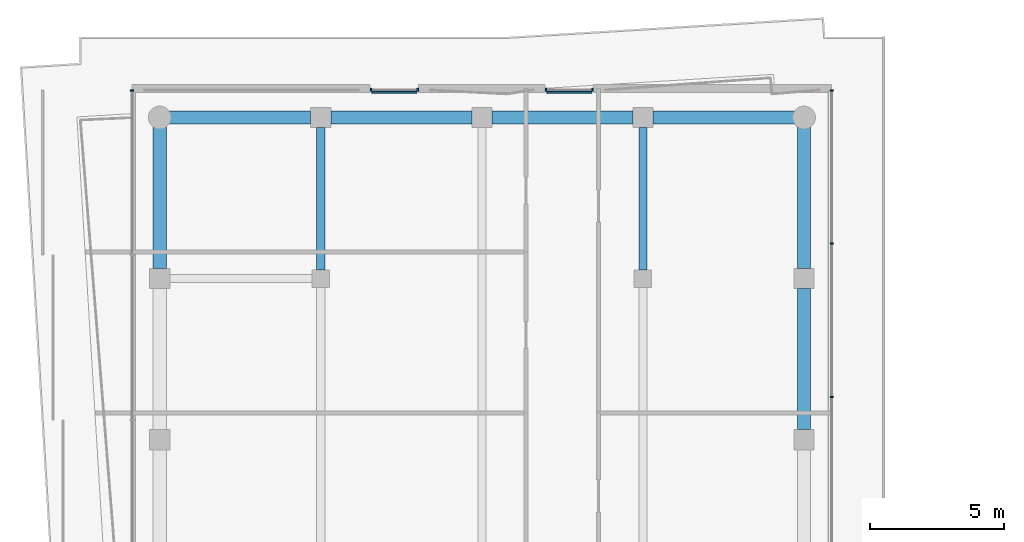
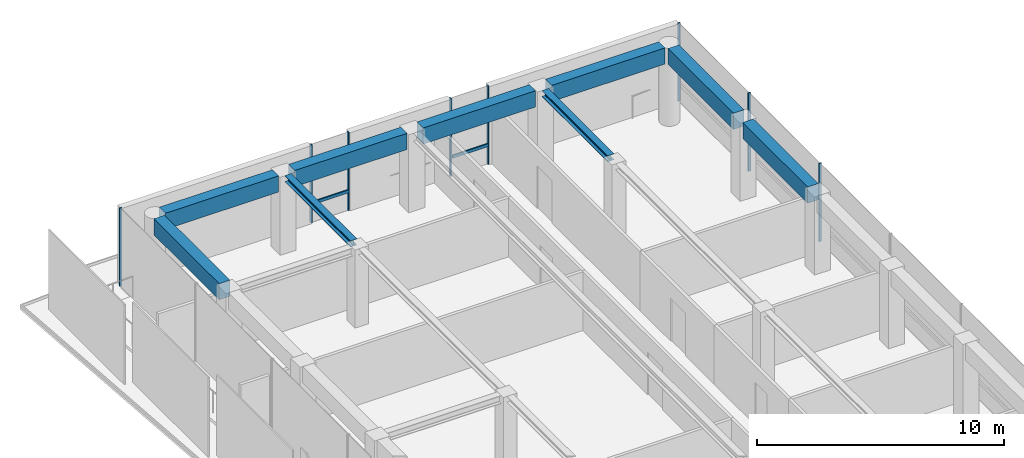
# One storey, part 15 of 21: 10 members, 9 beams, 4 elements without a shape of their own.
"""IFC4 building model written with IfcOpenShell, lengths in metres."""

from ifc_helpers import new_model, si_unit, direction, frame, origin, origin_2d, place, context, subcontext, project, spatial, rectangle, i_section, extrude, material, layer, layer_set, material_profile, profile_set, type_object, element, aggregate, save


model = new_model("IFC4")

# Units and contexts
model_context = context("Model", 3, precision=1e-05, world=origin(), true_north=direction((0.0, 1.0)))
body_context = subcontext(model_context, "Body", "Model", "MODEL_VIEW")
ifc_project = project(units=[si_unit("LENGTHUNIT", "METRE"), si_unit("AREAUNIT", "SQUARE_METRE"), si_unit("VOLUMEUNIT", "CUBIC_METRE"), si_unit("PLANEANGLEUNIT", "RADIAN"), si_unit("MASSUNIT", "GRAM", prefix="KILO")], contexts=[model_context])

# Site, building, storey
site_placement = place(None, origin())
site = spatial("IfcSite", under=ifc_project, at=site_placement, CompositionType="ELEMENT")
building_placement = place(site_placement, origin())
building = spatial("IfcBuilding", under=site, at=building_placement, Name="Welwitschia Terrace Campus", CompositionType="ELEMENT")
storey_placement = place(building_placement, frame((0.0, 0.0, 302.0)))
storey = spatial("IfcBuildingStorey", under=building, at=storey_placement, Name="L67", CompositionType="ELEMENT", Elevation=302.0)

# Beams
ifc_material_1 = material(Name="Steel S355", Category="steel")
ifc_material_profile_1 = material_profile(ifc_material_1, i_section(OverallWidth=0.300048828125, OverallDepth=0.300048828125, WebThickness=0.010986328125, FlangeThickness=0.01904296875, FilletRadius=0.027099609375, at=origin_2d()))
ifc_profile_set_1 = profile_set([ifc_material_profile_1], Name="Steel S355")
beam_type_1 = type_object("IfcBeamType", Name="Interior girder HE 300 B", PredefinedType="BEAM", material=ifc_profile_set_1)
for number, where, z_axis, x_axis, name in (
    (1, (6.0, 56.325439453125, 3.699951171875), (0.0, 1.0, 0.0), (-1.0, 0.0, 0.0), "Girder GB6"),
    (2, (18.0, 56.325439453125, 3.699951171875), (0.0, 1.0, 0.0), (-1.0, 0.0, 0.0), "Girder GB6"),
):
    element("IfcBeam", number, at=place(storey_placement, frame(where, z_axis=z_axis, x_axis=x_axis)), inside=storey, type_object=beam_type_1, Name=name, PredefinedType="BEAM", context=body_context, shape_type="SweptSolid", body=[
        extrude(i_section(OverallWidth=0.300048828125, OverallDepth=0.300048828125, WebThickness=0.010986328125, FlangeThickness=0.01904296875, FilletRadius=0.027099609375, at=origin_2d()), origin(), (0.0, 0.0, 1.0), 5.30908203125),
    ])

# Curtain wall, members
ifc_material_2 = material(Name="Bronze anodised aluminium", Category="aluminium")
ifc_layer = layer(ifc_material_2, 0.1201171875)
ifc_layer_set = layer_set([ifc_layer], Name="Bronze anodised aluminium")
curtain_wall_type = type_object("IfcCurtainWallType", Name="Curtain wall CW2 tower 6000", PredefinedType="NOTDEFINED", material=ifc_layer_set)
curtain_wall_1_placement = place(storey_placement, origin())
curtain_wall_1 = element("IfcCurtainWall", 3, at=curtain_wall_1_placement, inside=storey, type_object=curtain_wall_type, Name="CW L67.6.0", PredefinedType="NOTDEFINED")
ifc_material_3 = material(Name="Bronze anodised aluminium", Category="aluminium")
ifc_material_profile_2 = material_profile(ifc_material_3, rectangle(XDim=0.1201171875, YDim=0.06005859375, at=origin_2d()))
ifc_profile_set_2 = profile_set([ifc_material_profile_2], Name="Bronze anodised aluminium")
member_type_1 = type_object("IfcMemberType", Name="Mullion 60x120", PredefinedType="MULLION", material=ifc_profile_set_2)
member_1_placement = place(storey_placement, frame((25.030029296875, 51.59521484375, 0.0), z_axis=(0.0, 0.0, 1.0), x_axis=(-1.0, 0.0, 0.0)))
member_1 = element("IfcMember", 4, at=member_1_placement, type_object=member_type_1, Name="Mullion L67.6.0.4", PredefinedType="MULLION", context=body_context, shape_type="SweptSolid", body=[
    extrude(rectangle(XDim=0.1201171875, YDim=0.06005859375, at=origin_2d()), origin(), (0.0, 0.0, 1.0), 3.85009765625),
])
member_2_placement = place(storey_placement, frame((25.030029296875, 57.312744140625, 0.0), z_axis=(0.0, 0.0, 1.0), x_axis=(-1.0, 0.0, 0.0)))
member_2 = element("IfcMember", 5, at=member_2_placement, type_object=member_type_1, Name="Mullion L67.6.0.5", PredefinedType="MULLION", context=body_context, shape_type="SweptSolid", body=[
    extrude(rectangle(XDim=0.1201171875, YDim=0.06005859375, at=origin_2d()), origin(), (0.0, 0.0, 1.0), 3.85009765625),
])
member_3_placement = place(storey_placement, frame((25.030029296875, 63.0, 0.0), z_axis=(0.0, 0.0, 1.0), x_axis=(-1.0, 0.0, 0.0)))
member_3 = element("IfcMember", 6, at=member_3_placement, type_object=member_type_1, Name="Mullion L67.6.0.6", PredefinedType="MULLION", context=body_context, shape_type="SweptSolid", body=[
    extrude(rectangle(XDim=0.1201171875, YDim=0.06005859375, at=origin_2d()), origin(), (0.0, 0.0, 1.0), 3.85009765625),
])
aggregate(curtain_wall_1, [member_1, member_2, member_3])

curtain_wall_2_placement = place(storey_placement, origin())
curtain_wall_2 = element("IfcCurtainWall", 7, at=curtain_wall_2_placement, inside=storey, type_object=curtain_wall_type, Name="CW L67.7.S0", PredefinedType="NOTDEFINED")
member_4_placement = place(storey_placement, frame((16.12744140625, 63.030029296875, 0.0), z_axis=(0.0, 0.0, 1.0), x_axis=(0.0, -1.0, 0.0)))
member_4 = element("IfcMember", 8, at=member_4_placement, type_object=member_type_1, Name="Mullion L67.7.S0.0", PredefinedType="MULLION", context=body_context, shape_type="SweptSolid", body=[
    extrude(rectangle(XDim=0.1201171875, YDim=0.06005859375, at=origin_2d()), origin(), (0.0, 0.0, 1.0), 3.85009765625),
])
member_5_placement = place(storey_placement, frame((14.387451171875, 63.030029296875, 0.0), z_axis=(0.0, 0.0, 1.0), x_axis=(0.0, -1.0, 0.0)))
member_5 = element("IfcMember", 9, at=member_5_placement, type_object=member_type_1, Name="Mullion L67.7.S0.1", PredefinedType="MULLION", context=body_context, shape_type="SweptSolid", body=[
    extrude(rectangle(XDim=0.1201171875, YDim=0.06005859375, at=origin_2d()), origin(), (0.0, 0.0, 1.0), 3.85009765625),
])

curtain_wall_3_placement = place(storey_placement, origin())
curtain_wall_3 = element("IfcCurtainWall", 10, at=curtain_wall_3_placement, inside=storey, type_object=curtain_wall_type, Name="CW L67.7.S1", PredefinedType="NOTDEFINED")
member_6_placement = place(storey_placement, frame((9.612548828125, 63.030029296875, 0.0), z_axis=(0.0, 0.0, 1.0), x_axis=(0.0, -1.0, 0.0)))
member_6 = element("IfcMember", 11, at=member_6_placement, type_object=member_type_1, Name="Mullion L67.7.S1.0", PredefinedType="MULLION", context=body_context, shape_type="SweptSolid", body=[
    extrude(rectangle(XDim=0.1201171875, YDim=0.06005859375, at=origin_2d()), origin(), (0.0, 0.0, 1.0), 3.85009765625),
])
member_7_placement = place(storey_placement, frame((7.87255859375, 63.030029296875, 0.0), z_axis=(0.0, 0.0, 1.0), x_axis=(0.0, -1.0, 0.0)))
member_7 = element("IfcMember", 12, at=member_7_placement, type_object=member_type_1, Name="Mullion L67.7.S1.1", PredefinedType="MULLION", context=body_context, shape_type="SweptSolid", body=[
    extrude(rectangle(XDim=0.1201171875, YDim=0.06005859375, at=origin_2d()), origin(), (0.0, 0.0, 1.0), 3.85009765625),
])

# Curtain wall, member
curtain_wall_4_placement = place(storey_placement, origin())
curtain_wall_4 = element("IfcCurtainWall", 13, at=curtain_wall_4_placement, inside=storey, type_object=curtain_wall_type, Name="CW L67.8.0", PredefinedType="NOTDEFINED")
member_8_placement = place(storey_placement, frame((-1.030029296875, 63.0, 0.0), z_axis=(0.0, 0.0, 1.0), x_axis=(1.0, 0.0, 0.0)))
member_8 = element("IfcMember", 14, at=member_8_placement, type_object=member_type_1, Name="Mullion L67.8.0.0", PredefinedType="MULLION", context=body_context, shape_type="SweptSolid", body=[
    extrude(rectangle(XDim=0.1201171875, YDim=0.06005859375, at=origin_2d()), origin(), (0.0, 0.0, 1.0), 3.85009765625),
])
aggregate(curtain_wall_4, [member_8])

# Beams
ifc_material_4 = material(Name="Concrete C50/60", Category="concrete")
ifc_material_profile_3 = material_profile(ifc_material_4, rectangle(XDim=0.5, YDim=0.800048828125, at=origin_2d()))
ifc_profile_set_3 = profile_set([ifc_material_profile_3], Name="Concrete C50/60")
beam_type_2 = type_object("IfcBeamType", Name="Ring spandrel 500x800", PredefinedType="SPANDREL", material=ifc_profile_set_3)
beam_placement = place(storey_placement, frame((24.0, 50.37548828125, 3.449951171875), z_axis=(0.0, 1.0, 0.0), x_axis=(-1.0, 0.0, 0.0)))
element("IfcBeam", 15, at=beam_placement, inside=storey, type_object=beam_type_2, Name="Spandrel SP4", PredefinedType="SPANDREL", context=body_context, shape_type="SweptSolid", body=[
    extrude(rectangle(XDim=0.5, YDim=0.800048828125, at=origin_2d()), origin(), (0.0, 0.0, 1.0), 5.2490234375),
])
for number, where, z_axis, x_axis, name in (
    (16, (24.0, 56.37548828125, 3.449951171875), (0.0, 1.0, 0.0), (-1.0, 0.0, 0.0), "Spandrel SP4"),
    (17, (23.655517578125, 62.0, 3.449951171875), (-1.0, 0.0, 0.0), (0.0, -1.0, 0.0), "Spandrel SP4"),
):
    element("IfcBeam", number, at=place(storey_placement, frame(where, z_axis=z_axis, x_axis=x_axis)), inside=storey, type_object=beam_type_2, Name=name, PredefinedType="SPANDREL", context=body_context, shape_type="SweptSolid", body=[
        extrude(rectangle(XDim=0.5, YDim=0.800048828125, at=origin_2d()), origin(), (0.0, 0.0, 1.0), 5.280029296875),
    ])
for number, where, z_axis, x_axis, name in (
    (18, (17.62451171875, 62.0, 3.449951171875), (-1.0, 0.0, 0.0), (0.0, -1.0, 0.0), "Spandrel SP4"),
    (19, (11.62451171875, 62.0, 3.449951171875), (-1.0, 0.0, 0.0), (0.0, -1.0, 0.0), "Spandrel SP4"),
):
    element("IfcBeam", number, at=place(storey_placement, frame(where, z_axis=z_axis, x_axis=x_axis)), inside=storey, type_object=beam_type_2, Name=name, PredefinedType="SPANDREL", context=body_context, shape_type="SweptSolid", body=[
        extrude(rectangle(XDim=0.5, YDim=0.800048828125, at=origin_2d()), origin(), (0.0, 0.0, 1.0), 5.2490234375),
    ])
for number, where, z_axis, x_axis, name in (
    (20, (5.62451171875, 62.0, 3.449951171875), (-1.0, 0.0, 0.0), (0.0, -1.0, 0.0), "Spandrel SP4"),
    (21, (0.0, 61.655517578125, 3.449951171875), (0.0, -1.0, 0.0), (1.0, 0.0, 0.0), "Spandrel SP4"),
):
    element("IfcBeam", number, at=place(storey_placement, frame(where, z_axis=z_axis, x_axis=x_axis)), inside=storey, type_object=beam_type_2, Name=name, PredefinedType="SPANDREL", context=body_context, shape_type="SweptSolid", body=[
        extrude(rectangle(XDim=0.5, YDim=0.800048828125, at=origin_2d()), origin(), (0.0, 0.0, 1.0), 5.280029296875),
    ])

# Member
ifc_material_5 = material(Name="Bronze anodised aluminium", Category="aluminium")
ifc_material_profile_4 = material_profile(ifc_material_5, rectangle(XDim=0.06005859375, YDim=0.14990234375, at=origin_2d()))
ifc_profile_set_4 = profile_set([ifc_material_profile_4], Name="Bronze anodised aluminium")
member_type_2 = type_object("IfcMemberType", Name="Transom 60x150", PredefinedType="USERDEFINED", material=ifc_profile_set_4)
member_9_placement = place(storey_placement, frame((16.097412109375, 62.93994140625, 1.0), z_axis=(-1.0, 0.0, 0.0), x_axis=(0.0, -1.0, 0.0)))
member_9 = element("IfcMember", 22, at=member_9_placement, type_object=member_type_2, Name="Transom L67.7.S0", ObjectType="TRANSOM", PredefinedType="USERDEFINED", context=body_context, shape_type="SweptSolid", body=[
    extrude(rectangle(XDim=0.06005859375, YDim=0.14990234375, at=origin_2d()), origin(), (0.0, 0.0, 1.0), 1.679931640625),
])

aggregate(curtain_wall_2, [member_4, member_5, member_9])

member_10_placement = place(storey_placement, frame((9.58251953125, 62.93994140625, 1.0), z_axis=(-1.0, 0.0, 0.0), x_axis=(0.0, -1.0, 0.0)))
member_10 = element("IfcMember", 23, at=member_10_placement, type_object=member_type_2, Name="Transom L67.7.S1", ObjectType="TRANSOM", PredefinedType="USERDEFINED", context=body_context, shape_type="SweptSolid", body=[
    extrude(rectangle(XDim=0.06005859375, YDim=0.14990234375, at=origin_2d()), origin(), (0.0, 0.0, 1.0), 1.679931640625),
])

aggregate(curtain_wall_3, [member_6, member_7, member_10])

save(model, "model.ifc")
